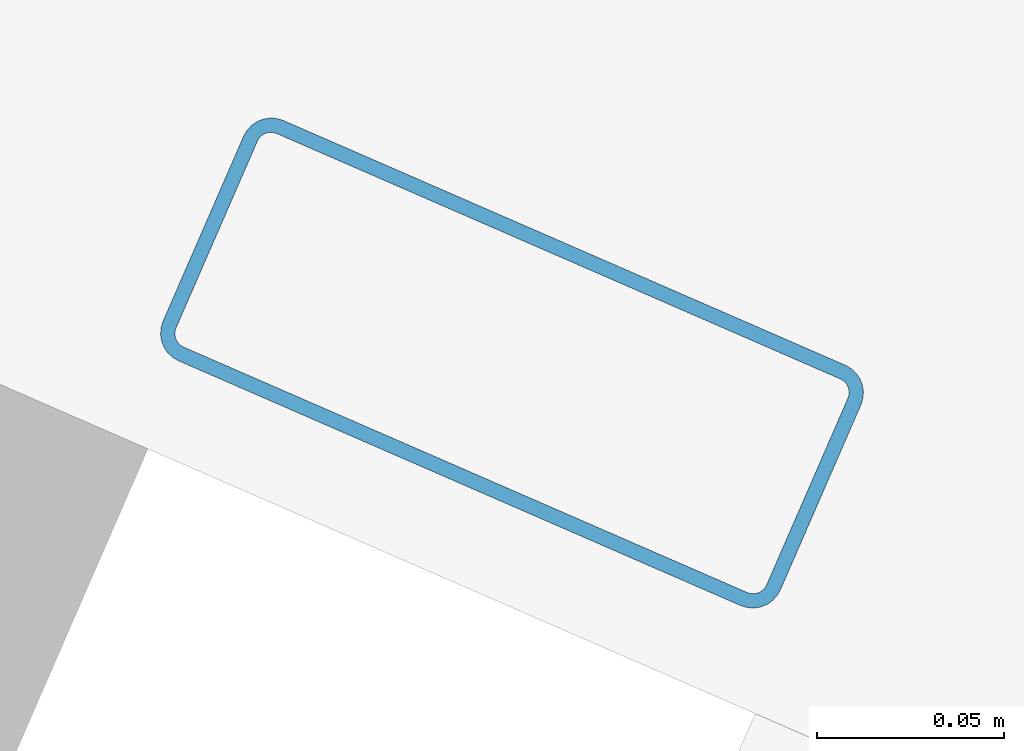
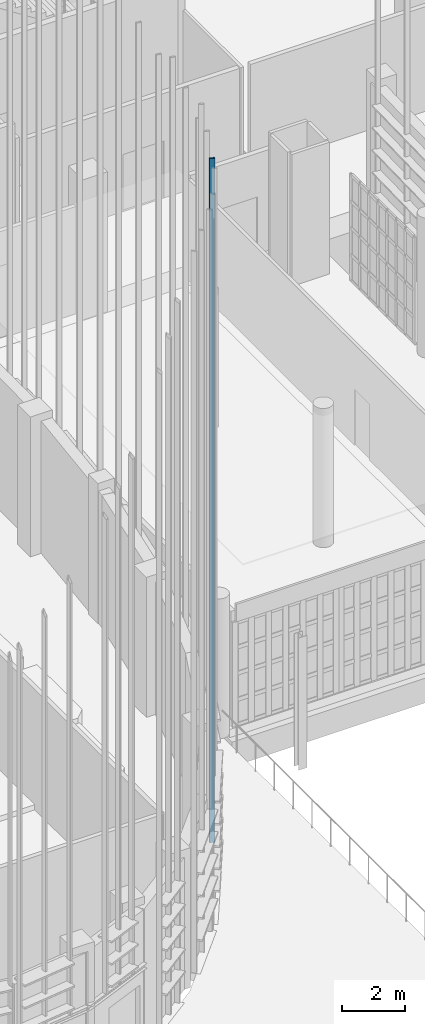
# One storey, part 101 of 372: 1 member.
"""IFC4 building model written with IfcOpenShell, lengths in metres."""

from ifc_helpers import new_model, si_unit, direction, frame, origin, origin_2d, place, context, subcontext, project, spatial, hollow_rectangle, extrude, material, material_profile, profile_set, type_object, element, save


model = new_model("IFC4")

# Units and contexts
model_context = context("Model", 3, precision=1e-05, world=origin(), true_north=direction((0.0, 1.0)))
body_context = subcontext(model_context, "Body", "Model", "MODEL_VIEW")
ifc_project = project(units=[si_unit("LENGTHUNIT", "METRE"), si_unit("AREAUNIT", "SQUARE_METRE"), si_unit("VOLUMEUNIT", "CUBIC_METRE"), si_unit("PLANEANGLEUNIT", "RADIAN"), si_unit("MASSUNIT", "GRAM", prefix="KILO")], contexts=[model_context])

# Site, building, storey
site_placement = place(None, origin())
site = spatial("IfcSite", under=ifc_project, at=site_placement, CompositionType="ELEMENT")
building_placement = place(site_placement, origin())
building = spatial("IfcBuilding", under=site, at=building_placement, Name="Kaelora Sail Theatre", CompositionType="ELEMENT")
storey_placement = place(building_placement, origin())
storey = spatial("IfcBuildingStorey", under=building, at=storey_placement, Name="L00", CompositionType="ELEMENT", Elevation=0.0)

# Member
ifc_material = material(Name="Anodised aluminium 6063-T6", Category="aluminium")
ifc_material_profile = material_profile(ifc_material, hollow_rectangle(XDim=0.070068359375, YDim=0.179931640625, WallThickness=0.00390625, InnerFilletRadius=0.00390625, OuterFilletRadius=0.008056640625, at=origin_2d()), Name="ALU-MULL 70x180x4")
ifc_profile_set = profile_set([ifc_material_profile], Name="Anodised aluminium 6063-T6")
member_type = type_object("IfcMemberType", Name="ARC-MEM-PST-160", PredefinedType="POST", material=ifc_profile_set)
member_placement = place(storey_placement, frame((55.000244140625, 33.605224609375, 0.0), z_axis=(0.0, 0.0, 1.0), x_axis=(-0.399229185776, -0.916851164162, 0.0)))
element("IfcMember", 1, at=member_placement, inside=storey, type_object=member_type, Name="Main Theatre Sail Drum solar louvre vertical support post C6-3", PredefinedType="POST", context=body_context, shape_type="SweptSolid", body=[
    extrude(hollow_rectangle(XDim=0.070068359375, YDim=0.179931640625, WallThickness=0.00390625, InnerFilletRadius=0.00390625, OuterFilletRadius=0.008056640625, at=origin_2d()), origin(), (0.0, 0.0, 1.0), 26.402099609375),
])

save(model, "model.ifc")
